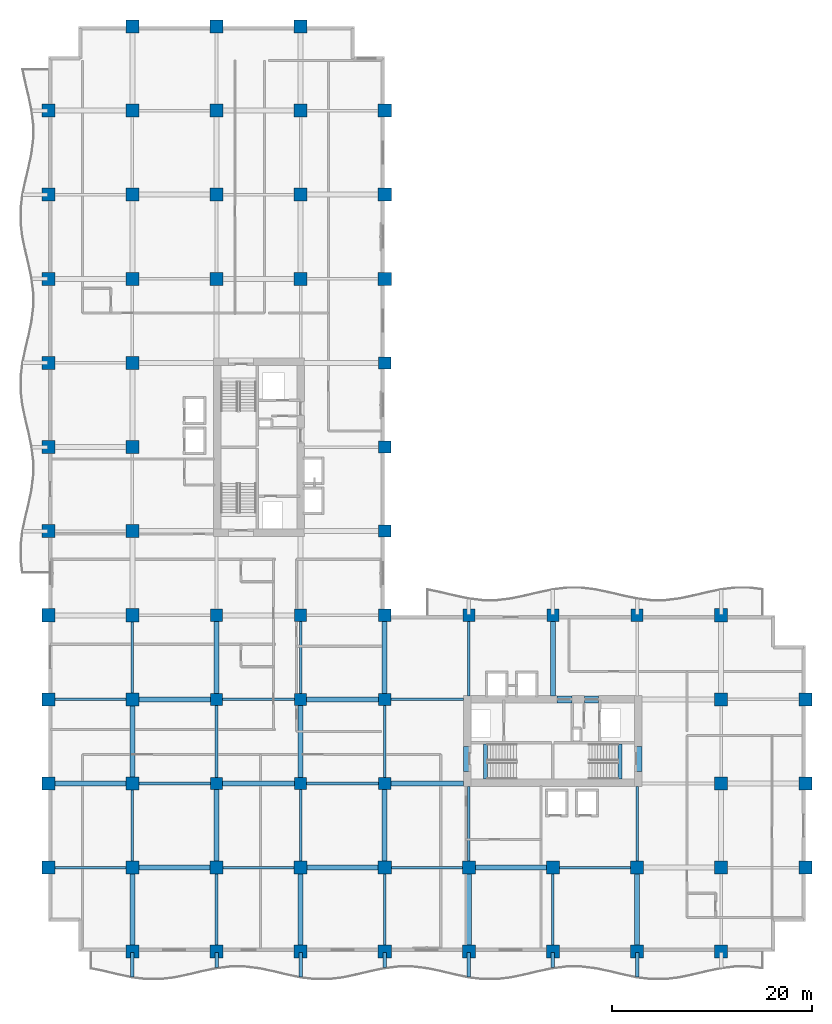
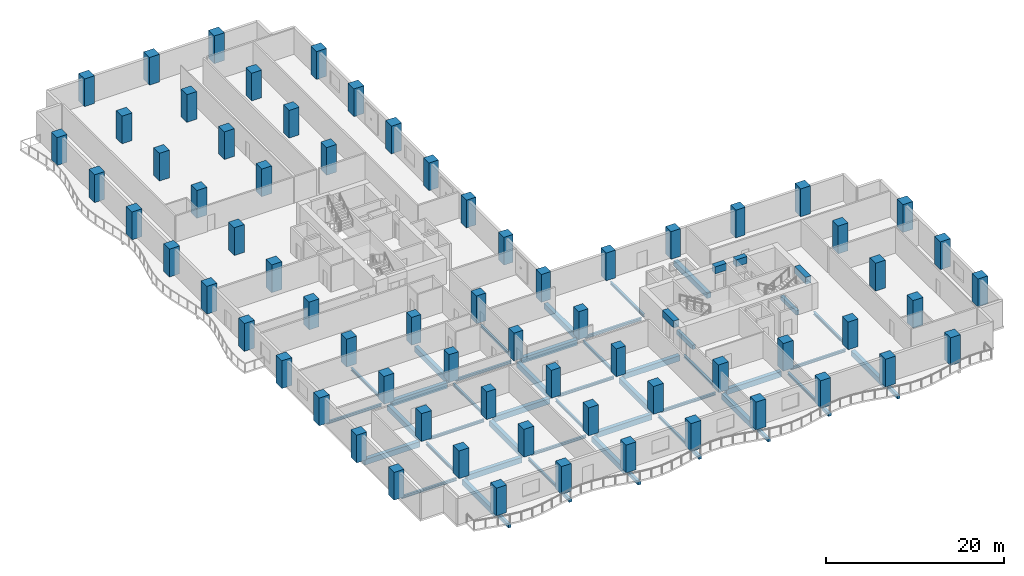
# One storey, part 1 of 15: 68 columns, 53 beams.
"""IFC4 building model written with IfcOpenShell, lengths in metres."""

from ifc_helpers import new_model, si_unit, direction, frame, origin, origin_2d, place, context, subcontext, project, spatial, rectangle, i_section, extrude, material, material_profile, profile_set, type_object, element, save


model = new_model("IFC4")

# Units and contexts
model_context = context("Model", 3, precision=1e-05, world=origin(), true_north=direction((0.0, 1.0)))
body_context = subcontext(model_context, "Body", "Model", "MODEL_VIEW")
ifc_project = project(units=[si_unit("LENGTHUNIT", "METRE"), si_unit("AREAUNIT", "SQUARE_METRE"), si_unit("VOLUMEUNIT", "CUBIC_METRE"), si_unit("PLANEANGLEUNIT", "RADIAN"), si_unit("MASSUNIT", "GRAM", prefix="KILO")], contexts=[model_context])

# Site, building, storey
site_placement = place(None, origin())
site = spatial("IfcSite", under=ifc_project, at=site_placement, CompositionType="ELEMENT")
building_placement = place(site_placement, origin())
building = spatial("IfcBuilding", under=site, at=building_placement, Name="Koriwani Terraces Tower", CompositionType="ELEMENT")
storey_placement = place(building_placement, frame((0.0, 0.0, 138.0)))
storey = spatial("IfcBuildingStorey", under=building, at=storey_placement, Name="L33", CompositionType="ELEMENT", Elevation=138.0)

# Columns
ifc_material_1 = material(Name="Concrete C60/75", Category="concrete")
ifc_material_profile_1 = material_profile(ifc_material_1, rectangle(XDim=1.199951171875, YDim=1.199951171875, at=origin_2d()), Name="Concrete C60/75", Category="LoadBearing")
ifc_profile_set_1 = profile_set([ifc_material_profile_1], Name="Concrete C60/75")
column_type_1 = type_object("IfcColumnType", Name="COL_RC_1200X1200", PredefinedType="COLUMN", material=ifc_profile_set_1)
for number, where, z_axis, x_axis, name in (
    (1, (16.800048828125, 16.800048828125, 0.0), (0.0, 0.0, 1.0), (1.0, 0.0, 0.0), "L33 Column 3/C"),
    (2, (16.800048828125, 25.199951171875, 0.0), (0.0, 0.0, 1.0), (1.0, 0.0, 0.0), "L33 Column 3/D"),
    (3, (16.800048828125, 33.60009765625, 0.0), (0.0, 0.0, 1.0), (1.0, 0.0, 0.0), "L33 Column 3/E"),
    (4, (25.199951171875, 16.800048828125, 0.0), (0.0, 0.0, 1.0), (1.0, 0.0, 0.0), "L33 Column 4/C"),
    (5, (25.199951171875, 25.199951171875, 0.0), (0.0, 0.0, 1.0), (1.0, 0.0, 0.0), "L33 Column 4/D"),
    (6, (25.199951171875, 33.60009765625, 0.0), (0.0, 0.0, 1.0), (1.0, 0.0, 0.0), "L33 Column 4/E"),
    (7, (33.60009765625, 16.800048828125, 0.0), (0.0, 0.0, 1.0), (1.0, 0.0, 0.0), "L33 Column 5/C"),
    (8, (33.60009765625, 25.199951171875, 0.0), (0.0, 0.0, 1.0), (1.0, 0.0, 0.0), "L33 Column 5/D"),
    (9, (33.60009765625, 33.60009765625, 0.0), (0.0, 0.0, 1.0), (1.0, 0.0, 0.0), "L33 Column 5/E"),
    (10, (33.60009765625, 42.0, 0.0), (0.0, 0.0, 1.0), (1.0, 0.0, 0.0), "L33 Column 5/F"),
    (11, (33.60009765625, 50.39990234375, 0.0), (0.0, 0.0, 1.0), (1.0, 0.0, 0.0), "L33 Column 5/G"),
    (12, (33.60009765625, 58.800048828125, 0.0), (0.0, 0.0, 1.0), (1.0, 0.0, 0.0), "L33 Column 5/H"),
    (13, (42.0, 33.60009765625, 0.0), (0.0, 0.0, 1.0), (1.0, 0.0, 0.0), "L33 Column 6/E"),
    (14, (50.39990234375, 33.60009765625, 0.0), (0.0, 0.0, 1.0), (1.0, 0.0, 0.0), "L33 Column 7/E"),
    (15, (58.800048828125, 33.60009765625, 0.0), (0.0, 0.0, 1.0), (1.0, 0.0, 0.0), "L33 Column 8/E"),
):
    element("IfcColumn", number, at=place(storey_placement, frame(where, z_axis=z_axis, x_axis=x_axis)), inside=storey, type_object=column_type_1, Name=name, PredefinedType="COLUMN", context=body_context, shape_type="SweptSolid", body=[
        extrude(rectangle(XDim=1.199951171875, YDim=1.199951171875, at=origin_2d()), origin(), (0.0, 0.0, 1.0), 3.800048828125),
    ])
ifc_material_profile_2 = material_profile(ifc_material_1, rectangle(XDim=1.300048828125, YDim=1.300048828125, at=origin_2d()), Name="Concrete C60/75", Category="LoadBearing")
ifc_profile_set_2 = profile_set([ifc_material_profile_2], Name="Concrete C60/75")
column_type_2 = type_object("IfcColumnType", Name="COL_RC_1300X1300", PredefinedType="COLUMN", material=ifc_profile_set_2)
for number, where, z_axis, x_axis, name in (
    (16, (0.0, 8.39990234375, 0.0), (0.0, 0.0, 1.0), (1.0, 0.0, 0.0), "L33 Column 1/B"),
    (17, (0.0, 16.800048828125, 0.0), (0.0, 0.0, 1.0), (1.0, 0.0, 0.0), "L33 Column 1/C"),
    (18, (0.0, 25.199951171875, 0.0), (0.0, 0.0, 1.0), (1.0, 0.0, 0.0), "L33 Column 1/D"),
    (19, (0.0, 33.60009765625, 0.0), (0.0, 0.0, 1.0), (1.0, 0.0, 0.0), "L33 Column 1/E"),
    (20, (0.0, 42.0, 0.0), (0.0, 0.0, 1.0), (1.0, 0.0, 0.0), "L33 Column 1/F"),
    (21, (0.0, 50.39990234375, 0.0), (0.0, 0.0, 1.0), (1.0, 0.0, 0.0), "L33 Column 1/G"),
    (22, (0.0, 58.800048828125, 0.0), (0.0, 0.0, 1.0), (1.0, 0.0, 0.0), "L33 Column 1/H"),
    (23, (0.0, 67.199951171875, 0.0), (0.0, 0.0, 1.0), (1.0, 0.0, 0.0), "L33 Column 1/I"),
    (24, (0.0, 75.60009765625, 0.0), (0.0, 0.0, 1.0), (1.0, 0.0, 0.0), "L33 Column 1/J"),
    (25, (0.0, 84.0, 0.0), (0.0, 0.0, 1.0), (1.0, 0.0, 0.0), "L33 Column 1/K"),
    (26, (8.39990234375, 0.0, 0.0), (0.0, 0.0, 1.0), (1.0, 0.0, 0.0), "L33 Column 2/A"),
    (27, (8.39990234375, 8.39990234375, 0.0), (0.0, 0.0, 1.0), (1.0, 0.0, 0.0), "L33 Column 2/B"),
    (28, (8.39990234375, 16.800048828125, 0.0), (0.0, 0.0, 1.0), (1.0, 0.0, 0.0), "L33 Column 2/C"),
    (29, (8.39990234375, 25.199951171875, 0.0), (0.0, 0.0, 1.0), (1.0, 0.0, 0.0), "L33 Column 2/D"),
    (30, (8.39990234375, 33.60009765625, 0.0), (0.0, 0.0, 1.0), (1.0, 0.0, 0.0), "L33 Column 2/E"),
    (31, (8.39990234375, 42.0, 0.0), (0.0, 0.0, 1.0), (1.0, 0.0, 0.0), "L33 Column 2/F"),
    (32, (8.39990234375, 50.39990234375, 0.0), (0.0, 0.0, 1.0), (1.0, 0.0, 0.0), "L33 Column 2/G"),
    (33, (8.39990234375, 58.800048828125, 0.0), (0.0, 0.0, 1.0), (1.0, 0.0, 0.0), "L33 Column 2/H"),
    (34, (8.39990234375, 67.199951171875, 0.0), (0.0, 0.0, 1.0), (1.0, 0.0, 0.0), "L33 Column 2/I"),
    (35, (8.39990234375, 75.60009765625, 0.0), (0.0, 0.0, 1.0), (1.0, 0.0, 0.0), "L33 Column 2/J"),
    (36, (8.39990234375, 84.0, 0.0), (0.0, 0.0, 1.0), (1.0, 0.0, 0.0), "L33 Column 2/K"),
    (37, (8.39990234375, 92.39990234375, 0.0), (0.0, 0.0, 1.0), (1.0, 0.0, 0.0), "L33 Column 2/L"),
    (38, (16.800048828125, 0.0, 0.0), (0.0, 0.0, 1.0), (1.0, 0.0, 0.0), "L33 Column 3/A"),
    (39, (16.800048828125, 8.39990234375, 0.0), (0.0, 0.0, 1.0), (1.0, 0.0, 0.0), "L33 Column 3/B"),
    (40, (16.800048828125, 67.199951171875, 0.0), (0.0, 0.0, 1.0), (1.0, 0.0, 0.0), "L33 Column 3/I"),
    (41, (16.800048828125, 75.60009765625, 0.0), (0.0, 0.0, 1.0), (1.0, 0.0, 0.0), "L33 Column 3/J"),
    (42, (16.800048828125, 84.0, 0.0), (0.0, 0.0, 1.0), (1.0, 0.0, 0.0), "L33 Column 3/K"),
    (43, (16.800048828125, 92.39990234375, 0.0), (0.0, 0.0, 1.0), (1.0, 0.0, 0.0), "L33 Column 3/L"),
    (44, (25.199951171875, 0.0, 0.0), (0.0, 0.0, 1.0), (1.0, 0.0, 0.0), "L33 Column 4/A"),
    (45, (25.199951171875, 8.39990234375, 0.0), (0.0, 0.0, 1.0), (1.0, 0.0, 0.0), "L33 Column 4/B"),
    (46, (25.199951171875, 67.199951171875, 0.0), (0.0, 0.0, 1.0), (1.0, 0.0, 0.0), "L33 Column 4/I"),
    (47, (25.199951171875, 75.60009765625, 0.0), (0.0, 0.0, 1.0), (1.0, 0.0, 0.0), "L33 Column 4/J"),
    (48, (25.199951171875, 84.0, 0.0), (0.0, 0.0, 1.0), (1.0, 0.0, 0.0), "L33 Column 4/K"),
    (49, (25.199951171875, 92.39990234375, 0.0), (0.0, 0.0, 1.0), (1.0, 0.0, 0.0), "L33 Column 4/L"),
    (50, (33.60009765625, 0.0, 0.0), (0.0, 0.0, 1.0), (1.0, 0.0, 0.0), "L33 Column 5/A"),
    (51, (33.60009765625, 8.39990234375, 0.0), (0.0, 0.0, 1.0), (1.0, 0.0, 0.0), "L33 Column 5/B"),
    (52, (33.60009765625, 67.199951171875, 0.0), (0.0, 0.0, 1.0), (1.0, 0.0, 0.0), "L33 Column 5/I"),
    (53, (33.60009765625, 75.60009765625, 0.0), (0.0, 0.0, 1.0), (1.0, 0.0, 0.0), "L33 Column 5/J"),
    (54, (33.60009765625, 84.0, 0.0), (0.0, 0.0, 1.0), (1.0, 0.0, 0.0), "L33 Column 5/K"),
    (55, (42.0, 0.0, 0.0), (0.0, 0.0, 1.0), (1.0, 0.0, 0.0), "L33 Column 6/A"),
    (56, (42.0, 8.39990234375, 0.0), (0.0, 0.0, 1.0), (1.0, 0.0, 0.0), "L33 Column 6/B"),
    (57, (50.39990234375, 0.0, 0.0), (0.0, 0.0, 1.0), (1.0, 0.0, 0.0), "L33 Column 7/A"),
    (58, (50.39990234375, 8.39990234375, 0.0), (0.0, 0.0, 1.0), (1.0, 0.0, 0.0), "L33 Column 7/B"),
    (59, (58.800048828125, 0.0, 0.0), (0.0, 0.0, 1.0), (1.0, 0.0, 0.0), "L33 Column 8/A"),
    (60, (58.800048828125, 8.39990234375, 0.0), (0.0, 0.0, 1.0), (1.0, 0.0, 0.0), "L33 Column 8/B"),
    (61, (67.199951171875, 0.0, 0.0), (0.0, 0.0, 1.0), (1.0, 0.0, 0.0), "L33 Column 9/A"),
    (62, (67.199951171875, 8.39990234375, 0.0), (0.0, 0.0, 1.0), (1.0, 0.0, 0.0), "L33 Column 9/B"),
    (63, (67.199951171875, 16.800048828125, 0.0), (0.0, 0.0, 1.0), (1.0, 0.0, 0.0), "L33 Column 9/C"),
    (64, (67.199951171875, 25.199951171875, 0.0), (0.0, 0.0, 1.0), (1.0, 0.0, 0.0), "L33 Column 9/D"),
    (65, (67.199951171875, 33.60009765625, 0.0), (0.0, 0.0, 1.0), (1.0, 0.0, 0.0), "L33 Column 9/E"),
    (66, (75.60009765625, 8.39990234375, 0.0), (0.0, 0.0, 1.0), (1.0, 0.0, 0.0), "L33 Column 10/B"),
    (67, (75.60009765625, 16.800048828125, 0.0), (0.0, 0.0, 1.0), (1.0, 0.0, 0.0), "L33 Column 10/C"),
    (68, (75.60009765625, 25.199951171875, 0.0), (0.0, 0.0, 1.0), (1.0, 0.0, 0.0), "L33 Column 10/D"),
):
    element("IfcColumn", number, at=place(storey_placement, frame(where, z_axis=z_axis, x_axis=x_axis)), inside=storey, type_object=column_type_2, Name=name, PredefinedType="COLUMN", context=body_context, shape_type="SweptSolid", body=[
        extrude(rectangle(XDim=1.300048828125, YDim=1.300048828125, at=origin_2d()), origin(), (0.0, 0.0, 1.0), 3.800048828125),
    ])

# Beams
ifc_material_2 = material(Name="Concrete C40/50", Category="concrete")
ifc_material_profile_3 = material_profile(ifc_material_2, rectangle(XDim=0.35009765625, YDim=0.449951171875, at=origin_2d()), Name="Concrete C40/50", Category="LoadBearing")
ifc_profile_set_3 = profile_set([ifc_material_profile_3], Name="Concrete C40/50")
beam_type_1 = type_object("IfcBeamType", Name="BEAM_RC_BALCONY_RIB_350X450", PredefinedType="JOIST", material=ifc_profile_set_3)
beam_1_placement = place(storey_placement, frame((8.39990234375, -2.509521484375, -0.47509765625), z_axis=(0.0, 1.0, 0.0), x_axis=(-1.0, 0.0, 0.0)))
element("IfcBeam", 69, at=beam_1_placement, inside=storey, type_object=beam_type_1, Name="L33 Balcony Bracket Rib S-1", PredefinedType="JOIST", context=body_context, shape_type="SweptSolid", body=[
    extrude(rectangle(XDim=0.35009765625, YDim=0.449951171875, at=origin_2d()), origin(), (0.0, 0.0, 1.0), 2.409423828125),
])
beam_2_placement = place(storey_placement, frame((16.800048828125, -1.59033203125, -0.47509765625), z_axis=(0.0, 1.0, 0.0), x_axis=(-1.0, 0.0, 0.0)))
element("IfcBeam", 70, at=beam_2_placement, inside=storey, type_object=beam_type_1, Name="L33 Balcony Bracket Rib S-2", PredefinedType="JOIST", context=body_context, shape_type="SweptSolid", body=[
    extrude(rectangle(XDim=0.35009765625, YDim=0.449951171875, at=origin_2d()), origin(), (0.0, 0.0, 1.0), 1.490234375),
])
beam_3_placement = place(storey_placement, frame((25.199951171875, -2.509521484375, -0.47509765625), z_axis=(0.0, 1.0, 0.0), x_axis=(-1.0, 0.0, 0.0)))
element("IfcBeam", 71, at=beam_3_placement, inside=storey, type_object=beam_type_1, Name="L33 Balcony Bracket Rib S-3", PredefinedType="JOIST", context=body_context, shape_type="SweptSolid", body=[
    extrude(rectangle(XDim=0.35009765625, YDim=0.449951171875, at=origin_2d()), origin(), (0.0, 0.0, 1.0), 2.409423828125),
])
beam_4_placement = place(storey_placement, frame((33.60009765625, -1.59033203125, -0.47509765625), z_axis=(0.0, 1.0, 0.0), x_axis=(-1.0, 0.0, 0.0)))
element("IfcBeam", 72, at=beam_4_placement, inside=storey, type_object=beam_type_1, Name="L33 Balcony Bracket Rib S-4", PredefinedType="JOIST", context=body_context, shape_type="SweptSolid", body=[
    extrude(rectangle(XDim=0.35009765625, YDim=0.449951171875, at=origin_2d()), origin(), (0.0, 0.0, 1.0), 1.490234375),
])
beam_5_placement = place(storey_placement, frame((42.0, -2.509521484375, -0.47509765625), z_axis=(0.0, 1.0, 0.0), x_axis=(-1.0, 0.0, 0.0)))
element("IfcBeam", 73, at=beam_5_placement, inside=storey, type_object=beam_type_1, Name="L33 Balcony Bracket Rib S-5", PredefinedType="JOIST", context=body_context, shape_type="SweptSolid", body=[
    extrude(rectangle(XDim=0.35009765625, YDim=0.449951171875, at=origin_2d()), origin(), (0.0, 0.0, 1.0), 2.409423828125),
])
beam_6_placement = place(storey_placement, frame((50.39990234375, -1.59033203125, -0.47509765625), z_axis=(0.0, 1.0, 0.0), x_axis=(-1.0, 0.0, 0.0)))
element("IfcBeam", 74, at=beam_6_placement, inside=storey, type_object=beam_type_1, Name="L33 Balcony Bracket Rib S-6", PredefinedType="JOIST", context=body_context, shape_type="SweptSolid", body=[
    extrude(rectangle(XDim=0.35009765625, YDim=0.449951171875, at=origin_2d()), origin(), (0.0, 0.0, 1.0), 1.490234375),
])
beam_7_placement = place(storey_placement, frame((58.800048828125, -2.509521484375, -0.47509765625), z_axis=(0.0, 1.0, 0.0), x_axis=(-1.0, 0.0, 0.0)))
element("IfcBeam", 75, at=beam_7_placement, inside=storey, type_object=beam_type_1, Name="L33 Balcony Bracket Rib S-7", PredefinedType="JOIST", context=body_context, shape_type="SweptSolid", body=[
    extrude(rectangle(XDim=0.35009765625, YDim=0.449951171875, at=origin_2d()), origin(), (0.0, 0.0, 1.0), 2.409423828125),
])
ifc_material_profile_4 = material_profile(ifc_material_1, rectangle(XDim=0.699951171875, YDim=0.949951171875, at=origin_2d()), Name="Concrete C60/75", Category="LoadBearing")
ifc_profile_set_4 = profile_set([ifc_material_profile_4], Name="Concrete C60/75")
beam_type_2 = type_object("IfcBeamType", Name="BEAM_RC_COUPLING_700X950", PredefinedType="LINTEL", material=ifc_profile_set_4)
beam_8_placement = place(storey_placement, frame((50.800048828125, 25.199951171875, 3.074951171875), z_axis=(1.0, 0.0, 0.0), x_axis=(0.0, 1.0, 0.0)))
element("IfcBeam", 76, at=beam_8_placement, inside=storey, type_object=beam_type_2, Name="L33 Core Coupling Lintel Beam EN1", PredefinedType="LINTEL", context=body_context, shape_type="SweptSolid", body=[
    extrude(rectangle(XDim=0.699951171875, YDim=0.949951171875, at=origin_2d()), origin(), (0.0, 0.0, 1.0), 1.47998046875),
])
beam_9_placement = place(storey_placement, frame((53.550048828125, 25.199951171875, 3.074951171875), z_axis=(1.0, 0.0, 0.0), x_axis=(0.0, 1.0, 0.0)))
element("IfcBeam", 77, at=beam_9_placement, inside=storey, type_object=beam_type_2, Name="L33 Core Coupling Lintel Beam EN2", PredefinedType="LINTEL", context=body_context, shape_type="SweptSolid", body=[
    extrude(rectangle(XDim=0.699951171875, YDim=0.949951171875, at=origin_2d()), origin(), (0.0, 0.0, 1.0), 1.39990234375),
])
for number, where, z_axis, x_axis, name in (
    (78, (41.824951171875, 18.0, 3.074951171875), (0.0, 1.0, 0.0), (-1.0, 0.0, 0.0), "L33 Core Coupling Lintel Beam EW"),
    (79, (58.925048828125, 18.0, 3.074951171875), (0.0, 1.0, 0.0), (-1.0, 0.0, 0.0), "L33 Core Coupling Lintel Beam EE"),
):
    element("IfcBeam", number, at=place(storey_placement, frame(where, z_axis=z_axis, x_axis=x_axis)), inside=storey, type_object=beam_type_2, Name=name, PredefinedType="LINTEL", context=body_context, shape_type="SweptSolid", body=[
        extrude(rectangle(XDim=0.699951171875, YDim=0.949951171875, at=origin_2d()), origin(), (0.0, 0.0, 1.0), 2.5),
    ])
ifc_material_profile_5 = material_profile(ifc_material_2, rectangle(XDim=0.39990234375, YDim=0.60009765625, at=origin_2d()), Name="Concrete C40/50", Category="LoadBearing")
ifc_profile_set_5 = profile_set([ifc_material_profile_5], Name="Concrete C40/50")
beam_type_3 = type_object("IfcBeamType", Name="BEAM_RC_GRID_400X600", PredefinedType="BEAM", material=ifc_profile_set_5)
for number, where, z_axis, x_axis, name in (
    (80, (43.655029296875, 17.25, -0.300048828125), (0.0, 1.0, 0.0), (-1.0, 0.0, 0.0), "L33 Stairwell Header Trimmer Beam ST-E1"),
    (81, (57.094970703125, 17.25, -0.300048828125), (0.0, 1.0, 0.0), (-1.0, 0.0, 0.0), "L33 Stairwell Header Trimmer Beam ST-E2"),
):
    element("IfcBeam", number, at=place(storey_placement, frame(where, z_axis=z_axis, x_axis=x_axis)), inside=storey, type_object=beam_type_3, Name=name, PredefinedType="BEAM", context=body_context, shape_type="SweptSolid", body=[
        extrude(rectangle(XDim=0.39990234375, YDim=0.60009765625, at=origin_2d()), origin(), (0.0, 0.0, 1.0), 3.5),
    ])
ifc_material_3 = material(Name="Concrete C50/60", Category="concrete")
ifc_material_profile_6 = material_profile(ifc_material_3, rectangle(XDim=0.5, YDim=0.75, at=origin_2d()), Name="Concrete C50/60", Category="LoadBearing")
ifc_profile_set_6 = profile_set([ifc_material_profile_6], Name="Concrete C50/60")
beam_type_4 = type_object("IfcBeamType", Name="BEAM_RC_GRID_500X750", PredefinedType="BEAM", material=ifc_profile_set_6)
for number, where, z_axis, x_axis, name in (
    (82, (9.030029296875, 8.39990234375, -0.625), (1.0, 0.0, 0.0), (0.0, 1.0, 0.0), "L33 Grid Beam B (8.4-16.8m)"),
    (83, (25.830078125, 8.39990234375, -0.625), (1.0, 0.0, 0.0), (0.0, 1.0, 0.0), "L33 Grid Beam B (25.2-33.6m)"),
):
    element("IfcBeam", number, at=place(storey_placement, frame(where, z_axis=z_axis, x_axis=x_axis)), inside=storey, type_object=beam_type_4, Name=name, PredefinedType="BEAM", context=body_context, shape_type="SweptSolid", body=[
        extrude(rectangle(XDim=0.5, YDim=0.75, at=origin_2d()), origin(), (0.0, 0.0, 1.0), 7.139892578125),
    ])
for number, where, z_axis, x_axis, name in (
    (84, (42.6298828125, 8.39990234375, -0.625), (1.0, 0.0, 0.0), (0.0, 1.0, 0.0), "L33 Grid Beam B (42.0-50.4m)"),
    (85, (0.6298828125, 16.800048828125, -0.625), (1.0, 0.0, 0.0), (0.0, 1.0, 0.0), "L33 Grid Beam C (0.0-8.4m)"),
):
    element("IfcBeam", number, at=place(storey_placement, frame(where, z_axis=z_axis, x_axis=x_axis)), inside=storey, type_object=beam_type_4, Name=name, PredefinedType="BEAM", context=body_context, shape_type="SweptSolid", body=[
        extrude(rectangle(XDim=0.5, YDim=0.75, at=origin_2d()), origin(), (0.0, 0.0, 1.0), 7.14013671875),
    ])
beam_10_placement = place(storey_placement, frame((17.3798828125, 16.800048828125, -0.625), z_axis=(1.0, 0.0, 0.0), x_axis=(0.0, 1.0, 0.0)))
element("IfcBeam", 86, at=beam_10_placement, inside=storey, type_object=beam_type_4, Name="L33 Grid Beam C (16.8-25.2m)", PredefinedType="BEAM", context=body_context, shape_type="SweptSolid", body=[
    extrude(rectangle(XDim=0.5, YDim=0.75, at=origin_2d()), origin(), (0.0, 0.0, 1.0), 7.240234375),
])
beam_11_placement = place(storey_placement, frame((34.179931640625, 16.800048828125, -0.625), z_axis=(1.0, 0.0, 0.0), x_axis=(0.0, 1.0, 0.0)))
element("IfcBeam", 87, at=beam_11_placement, inside=storey, type_object=beam_type_4, Name="L33 Grid Beam C (33.6-42.0m)", PredefinedType="BEAM", context=body_context, shape_type="SweptSolid", body=[
    extrude(rectangle(XDim=0.5, YDim=0.75, at=origin_2d()), origin(), (0.0, 0.0, 1.0), 7.2900390625),
])
beam_12_placement = place(storey_placement, frame((9.030029296875, 25.199951171875, -0.625), z_axis=(1.0, 0.0, 0.0), x_axis=(0.0, 1.0, 0.0)))
element("IfcBeam", 88, at=beam_12_placement, inside=storey, type_object=beam_type_4, Name="L33 Grid Beam D (8.4-16.8m)", PredefinedType="BEAM", context=body_context, shape_type="SweptSolid", body=[
    extrude(rectangle(XDim=0.5, YDim=0.75, at=origin_2d()), origin(), (0.0, 0.0, 1.0), 7.18994140625),
])
beam_13_placement = place(storey_placement, frame((25.780029296875, 25.199951171875, -0.625), z_axis=(1.0, 0.0, 0.0), x_axis=(0.0, 1.0, 0.0)))
element("IfcBeam", 89, at=beam_13_placement, inside=storey, type_object=beam_type_4, Name="L33 Grid Beam D (25.2-33.6m)", PredefinedType="BEAM", context=body_context, shape_type="SweptSolid", body=[
    extrude(rectangle(XDim=0.5, YDim=0.75, at=origin_2d()), origin(), (0.0, 0.0, 1.0), 7.239990234375),
])
for number, where, z_axis, x_axis, name in (
    (90, (8.39990234375, 0.6298828125, -0.625), (0.0, 1.0, 0.0), (-1.0, 0.0, 0.0), "L33 Grid Beam 2 (0.0-8.4m)"),
    (91, (8.39990234375, 17.429931640625, -0.625), (0.0, 1.0, 0.0), (-1.0, 0.0, 0.0), "L33 Grid Beam 2 (16.8-25.2m)"),
):
    element("IfcBeam", number, at=place(storey_placement, frame(where, z_axis=z_axis, x_axis=x_axis)), inside=storey, type_object=beam_type_4, Name=name, PredefinedType="BEAM", context=body_context, shape_type="SweptSolid", body=[
        extrude(rectangle(XDim=0.5, YDim=0.75, at=origin_2d()), origin(), (0.0, 0.0, 1.0), 7.14013671875),
    ])
beam_14_placement = place(storey_placement, frame((16.800048828125, 9.030029296875, -0.625), z_axis=(0.0, 1.0, 0.0), x_axis=(-1.0, 0.0, 0.0)))
element("IfcBeam", 92, at=beam_14_placement, inside=storey, type_object=beam_type_4, Name="L33 Grid Beam 3 (8.4-16.8m)", PredefinedType="BEAM", context=body_context, shape_type="SweptSolid", body=[
    extrude(rectangle(XDim=0.5, YDim=0.75, at=origin_2d()), origin(), (0.0, 0.0, 1.0), 7.18994140625),
])
beam_15_placement = place(storey_placement, frame((16.800048828125, 25.780029296875, -0.625), z_axis=(0.0, 1.0, 0.0), x_axis=(-1.0, 0.0, 0.0)))
element("IfcBeam", 93, at=beam_15_placement, inside=storey, type_object=beam_type_4, Name="L33 Grid Beam 3 (25.2-33.6m)", PredefinedType="BEAM", context=body_context, shape_type="SweptSolid", body=[
    extrude(rectangle(XDim=0.5, YDim=0.75, at=origin_2d()), origin(), (0.0, 0.0, 1.0), 7.239990234375),
])
beam_16_placement = place(storey_placement, frame((25.199951171875, 0.6298828125, -0.625), z_axis=(0.0, 1.0, 0.0), x_axis=(-1.0, 0.0, 0.0)))
element("IfcBeam", 94, at=beam_16_placement, inside=storey, type_object=beam_type_4, Name="L33 Grid Beam 4 (0.0-8.4m)", PredefinedType="BEAM", context=body_context, shape_type="SweptSolid", body=[
    extrude(rectangle(XDim=0.5, YDim=0.75, at=origin_2d()), origin(), (0.0, 0.0, 1.0), 7.14013671875),
])
beam_17_placement = place(storey_placement, frame((25.199951171875, 17.3798828125, -0.625), z_axis=(0.0, 1.0, 0.0), x_axis=(-1.0, 0.0, 0.0)))
element("IfcBeam", 95, at=beam_17_placement, inside=storey, type_object=beam_type_4, Name="L33 Grid Beam 4 (16.8-25.2m)", PredefinedType="BEAM", context=body_context, shape_type="SweptSolid", body=[
    extrude(rectangle(XDim=0.5, YDim=0.75, at=origin_2d()), origin(), (0.0, 0.0, 1.0), 7.240234375),
])
beam_18_placement = place(storey_placement, frame((33.60009765625, 9.030029296875, -0.625), z_axis=(0.0, 1.0, 0.0), x_axis=(-1.0, 0.0, 0.0)))
element("IfcBeam", 96, at=beam_18_placement, inside=storey, type_object=beam_type_4, Name="L33 Grid Beam 5 (8.4-16.8m)", PredefinedType="BEAM", context=body_context, shape_type="SweptSolid", body=[
    extrude(rectangle(XDim=0.5, YDim=0.75, at=origin_2d()), origin(), (0.0, 0.0, 1.0), 7.18994140625),
])
beam_19_placement = place(storey_placement, frame((33.60009765625, 25.780029296875, -0.625), z_axis=(0.0, 1.0, 0.0), x_axis=(-1.0, 0.0, 0.0)))
element("IfcBeam", 97, at=beam_19_placement, inside=storey, type_object=beam_type_4, Name="L33 Grid Beam 5 (25.2-33.6m)", PredefinedType="BEAM", context=body_context, shape_type="SweptSolid", body=[
    extrude(rectangle(XDim=0.5, YDim=0.75, at=origin_2d()), origin(), (0.0, 0.0, 1.0), 7.239990234375),
])
beam_20_placement = place(storey_placement, frame((42.0, 0.6298828125, -0.625), z_axis=(0.0, 1.0, 0.0), x_axis=(-1.0, 0.0, 0.0)))
element("IfcBeam", 98, at=beam_20_placement, inside=storey, type_object=beam_type_4, Name="L33 Grid Beam 6 (0.0-8.4m)", PredefinedType="BEAM", context=body_context, shape_type="SweptSolid", body=[
    extrude(rectangle(XDim=0.5, YDim=0.75, at=origin_2d()), origin(), (0.0, 0.0, 1.0), 7.14013671875),
])
beam_21_placement = place(storey_placement, frame((50.39990234375, 25.554931640625, -0.625), z_axis=(0.0, 1.0, 0.0), x_axis=(-1.0, 0.0, 0.0)))
element("IfcBeam", 99, at=beam_21_placement, inside=storey, type_object=beam_type_4, Name="L33 Grid Beam 7 (25.2-33.6m)", PredefinedType="BEAM", context=body_context, shape_type="SweptSolid", body=[
    extrude(rectangle(XDim=0.5, YDim=0.75, at=origin_2d()), origin(), (0.0, 0.0, 1.0), 7.465087890625),
])
beam_22_placement = place(storey_placement, frame((58.800048828125, 0.6298828125, -0.625), z_axis=(0.0, 1.0, 0.0), x_axis=(-1.0, 0.0, 0.0)))
element("IfcBeam", 100, at=beam_22_placement, inside=storey, type_object=beam_type_4, Name="L33 Grid Beam 8 (0.0-8.4m)", PredefinedType="BEAM", context=body_context, shape_type="SweptSolid", body=[
    extrude(rectangle(XDim=0.5, YDim=0.75, at=origin_2d()), origin(), (0.0, 0.0, 1.0), 7.14013671875),
])
ifc_material_4 = material(Name="Steel ASTM A572 Grade 50", Category="steel")
ifc_material_profile_7 = material_profile(ifc_material_4, i_section(OverallWidth=0.257080078125, OverallDepth=0.363037109375, WebThickness=0.012939453125, FlangeThickness=0.021728515625, at=origin_2d()), Name="Steel ASTM A572 Grade 50", Category="LoadBearing")
ifc_profile_set_7 = profile_set([ifc_material_profile_7], Name="Steel ASTM A572 Grade 50")
beam_type_5 = type_object("IfcBeamType", Name="STEEL_BEAM_W360X122", PredefinedType="JOIST", material=ifc_profile_set_7)
for number, where, z_axis, x_axis, name in (
    (101, (0.6298828125, 8.39990234375, -0.431396484375), (1.0, 0.0, 0.0), (0.0, 1.0, 0.0), "L33 Grid Beam B (0.0-8.4m)"),
    (102, (17.429931640625, 8.39990234375, -0.431396484375), (1.0, 0.0, 0.0), (0.0, 1.0, 0.0), "L33 Grid Beam B (16.8-25.2m)"),
    (103, (34.22998046875, 8.39990234375, -0.431396484375), (1.0, 0.0, 0.0), (0.0, 1.0, 0.0), "L33 Grid Beam B (33.6-42.0m)"),
):
    element("IfcBeam", number, at=place(storey_placement, frame(where, z_axis=z_axis, x_axis=x_axis)), inside=storey, type_object=beam_type_5, Name=name, PredefinedType="JOIST", context=body_context, shape_type="SweptSolid", body=[
        extrude(i_section(OverallWidth=0.257080078125, OverallDepth=0.363037109375, WebThickness=0.012939453125, FlangeThickness=0.021728515625, at=origin_2d()), origin(), (0.0, 0.0, 1.0), 7.14013671875),
    ])
beam_23_placement = place(storey_placement, frame((51.030029296875, 8.39990234375, -0.431396484375), z_axis=(1.0, 0.0, 0.0), x_axis=(0.0, 1.0, 0.0)))
element("IfcBeam", 104, at=beam_23_placement, inside=storey, type_object=beam_type_5, Name="L33 Grid Beam B (50.4-58.8m)", PredefinedType="JOIST", context=body_context, shape_type="SweptSolid", body=[
    extrude(i_section(OverallWidth=0.257080078125, OverallDepth=0.363037109375, WebThickness=0.012939453125, FlangeThickness=0.021728515625, at=origin_2d()), origin(), (0.0, 0.0, 1.0), 7.139892578125),
])
beam_24_placement = place(storey_placement, frame((9.030029296875, 16.800048828125, -0.431396484375), z_axis=(1.0, 0.0, 0.0), x_axis=(0.0, 1.0, 0.0)))
element("IfcBeam", 105, at=beam_24_placement, inside=storey, type_object=beam_type_5, Name="L33 Grid Beam C (8.4-16.8m)", PredefinedType="JOIST", context=body_context, shape_type="SweptSolid", body=[
    extrude(i_section(OverallWidth=0.257080078125, OverallDepth=0.363037109375, WebThickness=0.012939453125, FlangeThickness=0.021728515625, at=origin_2d()), origin(), (0.0, 0.0, 1.0), 7.18994140625),
])
beam_25_placement = place(storey_placement, frame((25.780029296875, 16.800048828125, -0.431396484375), z_axis=(1.0, 0.0, 0.0), x_axis=(0.0, 1.0, 0.0)))
element("IfcBeam", 106, at=beam_25_placement, inside=storey, type_object=beam_type_5, Name="L33 Grid Beam C (25.2-33.6m)", PredefinedType="JOIST", context=body_context, shape_type="SweptSolid", body=[
    extrude(i_section(OverallWidth=0.257080078125, OverallDepth=0.363037109375, WebThickness=0.012939453125, FlangeThickness=0.021728515625, at=origin_2d()), origin(), (0.0, 0.0, 1.0), 7.239990234375),
])
beam_26_placement = place(storey_placement, frame((0.6298828125, 25.199951171875, -0.431396484375), z_axis=(1.0, 0.0, 0.0), x_axis=(0.0, 1.0, 0.0)))
element("IfcBeam", 107, at=beam_26_placement, inside=storey, type_object=beam_type_5, Name="L33 Grid Beam D (0.0-8.4m)", PredefinedType="JOIST", context=body_context, shape_type="SweptSolid", body=[
    extrude(i_section(OverallWidth=0.257080078125, OverallDepth=0.363037109375, WebThickness=0.012939453125, FlangeThickness=0.021728515625, at=origin_2d()), origin(), (0.0, 0.0, 1.0), 7.14013671875),
])
beam_27_placement = place(storey_placement, frame((17.3798828125, 25.199951171875, -0.431396484375), z_axis=(1.0, 0.0, 0.0), x_axis=(0.0, 1.0, 0.0)))
element("IfcBeam", 108, at=beam_27_placement, inside=storey, type_object=beam_type_5, Name="L33 Grid Beam D (16.8-25.2m)", PredefinedType="JOIST", context=body_context, shape_type="SweptSolid", body=[
    extrude(i_section(OverallWidth=0.257080078125, OverallDepth=0.363037109375, WebThickness=0.012939453125, FlangeThickness=0.021728515625, at=origin_2d()), origin(), (0.0, 0.0, 1.0), 7.240234375),
])
beam_28_placement = place(storey_placement, frame((34.179931640625, 25.199951171875, -0.431396484375), z_axis=(1.0, 0.0, 0.0), x_axis=(0.0, 1.0, 0.0)))
element("IfcBeam", 109, at=beam_28_placement, inside=storey, type_object=beam_type_5, Name="L33 Grid Beam D (33.6-42.0m)", PredefinedType="JOIST", context=body_context, shape_type="SweptSolid", body=[
    extrude(i_section(OverallWidth=0.257080078125, OverallDepth=0.363037109375, WebThickness=0.012939453125, FlangeThickness=0.021728515625, at=origin_2d()), origin(), (0.0, 0.0, 1.0), 7.2900390625),
])
for number, where, z_axis, x_axis, name in (
    (110, (8.39990234375, 9.030029296875, -0.431396484375), (0.0, 1.0, 0.0), (-1.0, 0.0, 0.0), "L33 Grid Beam 2 (8.4-16.8m)"),
    (111, (8.39990234375, 25.830078125, -0.431396484375), (0.0, 1.0, 0.0), (-1.0, 0.0, 0.0), "L33 Grid Beam 2 (25.2-33.6m)"),
):
    element("IfcBeam", number, at=place(storey_placement, frame(where, z_axis=z_axis, x_axis=x_axis)), inside=storey, type_object=beam_type_5, Name=name, PredefinedType="JOIST", context=body_context, shape_type="SweptSolid", body=[
        extrude(i_section(OverallWidth=0.257080078125, OverallDepth=0.363037109375, WebThickness=0.012939453125, FlangeThickness=0.021728515625, at=origin_2d()), origin(), (0.0, 0.0, 1.0), 7.139892578125),
    ])
beam_29_placement = place(storey_placement, frame((16.800048828125, 0.6298828125, -0.431396484375), z_axis=(0.0, 1.0, 0.0), x_axis=(-1.0, 0.0, 0.0)))
element("IfcBeam", 112, at=beam_29_placement, inside=storey, type_object=beam_type_5, Name="L33 Grid Beam 3 (0.0-8.4m)", PredefinedType="JOIST", context=body_context, shape_type="SweptSolid", body=[
    extrude(i_section(OverallWidth=0.257080078125, OverallDepth=0.363037109375, WebThickness=0.012939453125, FlangeThickness=0.021728515625, at=origin_2d()), origin(), (0.0, 0.0, 1.0), 7.14013671875),
])
beam_30_placement = place(storey_placement, frame((16.800048828125, 17.3798828125, -0.431396484375), z_axis=(0.0, 1.0, 0.0), x_axis=(-1.0, 0.0, 0.0)))
element("IfcBeam", 113, at=beam_30_placement, inside=storey, type_object=beam_type_5, Name="L33 Grid Beam 3 (16.8-25.2m)", PredefinedType="JOIST", context=body_context, shape_type="SweptSolid", body=[
    extrude(i_section(OverallWidth=0.257080078125, OverallDepth=0.363037109375, WebThickness=0.012939453125, FlangeThickness=0.021728515625, at=origin_2d()), origin(), (0.0, 0.0, 1.0), 7.240234375),
])
beam_31_placement = place(storey_placement, frame((25.199951171875, 9.030029296875, -0.431396484375), z_axis=(0.0, 1.0, 0.0), x_axis=(-1.0, 0.0, 0.0)))
element("IfcBeam", 114, at=beam_31_placement, inside=storey, type_object=beam_type_5, Name="L33 Grid Beam 4 (8.4-16.8m)", PredefinedType="JOIST", context=body_context, shape_type="SweptSolid", body=[
    extrude(i_section(OverallWidth=0.257080078125, OverallDepth=0.363037109375, WebThickness=0.012939453125, FlangeThickness=0.021728515625, at=origin_2d()), origin(), (0.0, 0.0, 1.0), 7.18994140625),
])
beam_32_placement = place(storey_placement, frame((25.199951171875, 25.780029296875, -0.431396484375), z_axis=(0.0, 1.0, 0.0), x_axis=(-1.0, 0.0, 0.0)))
element("IfcBeam", 115, at=beam_32_placement, inside=storey, type_object=beam_type_5, Name="L33 Grid Beam 4 (25.2-33.6m)", PredefinedType="JOIST", context=body_context, shape_type="SweptSolid", body=[
    extrude(i_section(OverallWidth=0.257080078125, OverallDepth=0.363037109375, WebThickness=0.012939453125, FlangeThickness=0.021728515625, at=origin_2d()), origin(), (0.0, 0.0, 1.0), 7.239990234375),
])
beam_33_placement = place(storey_placement, frame((33.60009765625, 0.6298828125, -0.431396484375), z_axis=(0.0, 1.0, 0.0), x_axis=(-1.0, 0.0, 0.0)))
element("IfcBeam", 116, at=beam_33_placement, inside=storey, type_object=beam_type_5, Name="L33 Grid Beam 5 (0.0-8.4m)", PredefinedType="JOIST", context=body_context, shape_type="SweptSolid", body=[
    extrude(i_section(OverallWidth=0.257080078125, OverallDepth=0.363037109375, WebThickness=0.012939453125, FlangeThickness=0.021728515625, at=origin_2d()), origin(), (0.0, 0.0, 1.0), 7.14013671875),
])
beam_34_placement = place(storey_placement, frame((33.60009765625, 17.3798828125, -0.431396484375), z_axis=(0.0, 1.0, 0.0), x_axis=(-1.0, 0.0, 0.0)))
element("IfcBeam", 117, at=beam_34_placement, inside=storey, type_object=beam_type_5, Name="L33 Grid Beam 5 (16.8-25.2m)", PredefinedType="JOIST", context=body_context, shape_type="SweptSolid", body=[
    extrude(i_section(OverallWidth=0.257080078125, OverallDepth=0.363037109375, WebThickness=0.012939453125, FlangeThickness=0.021728515625, at=origin_2d()), origin(), (0.0, 0.0, 1.0), 7.240234375),
])
beam_35_placement = place(storey_placement, frame((42.0, 9.030029296875, -0.431396484375), z_axis=(0.0, 1.0, 0.0), x_axis=(-1.0, 0.0, 0.0)))
element("IfcBeam", 118, at=beam_35_placement, inside=storey, type_object=beam_type_5, Name="L33 Grid Beam 6 (8.4-16.8m)", PredefinedType="JOIST", context=body_context, shape_type="SweptSolid", body=[
    extrude(i_section(OverallWidth=0.257080078125, OverallDepth=0.363037109375, WebThickness=0.012939453125, FlangeThickness=0.021728515625, at=origin_2d()), origin(), (0.0, 0.0, 1.0), 7.489990234375),
])
beam_36_placement = place(storey_placement, frame((42.0, 25.554931640625, -0.431396484375), z_axis=(0.0, 1.0, 0.0), x_axis=(-1.0, 0.0, 0.0)))
element("IfcBeam", 119, at=beam_36_placement, inside=storey, type_object=beam_type_5, Name="L33 Grid Beam 6 (25.2-33.6m)", PredefinedType="JOIST", context=body_context, shape_type="SweptSolid", body=[
    extrude(i_section(OverallWidth=0.257080078125, OverallDepth=0.363037109375, WebThickness=0.012939453125, FlangeThickness=0.021728515625, at=origin_2d()), origin(), (0.0, 0.0, 1.0), 7.465087890625),
])
beam_37_placement = place(storey_placement, frame((50.39990234375, 0.6298828125, -0.431396484375), z_axis=(0.0, 1.0, 0.0), x_axis=(-1.0, 0.0, 0.0)))
element("IfcBeam", 120, at=beam_37_placement, inside=storey, type_object=beam_type_5, Name="L33 Grid Beam 7 (0.0-8.4m)", PredefinedType="JOIST", context=body_context, shape_type="SweptSolid", body=[
    extrude(i_section(OverallWidth=0.257080078125, OverallDepth=0.363037109375, WebThickness=0.012939453125, FlangeThickness=0.021728515625, at=origin_2d()), origin(), (0.0, 0.0, 1.0), 7.14013671875),
])
beam_38_placement = place(storey_placement, frame((58.800048828125, 9.030029296875, -0.431396484375), z_axis=(0.0, 1.0, 0.0), x_axis=(-1.0, 0.0, 0.0)))
element("IfcBeam", 121, at=beam_38_placement, inside=storey, type_object=beam_type_5, Name="L33 Grid Beam 8 (8.4-16.8m)", PredefinedType="JOIST", context=body_context, shape_type="SweptSolid", body=[
    extrude(i_section(OverallWidth=0.257080078125, OverallDepth=0.363037109375, WebThickness=0.012939453125, FlangeThickness=0.021728515625, at=origin_2d()), origin(), (0.0, 0.0, 1.0), 7.489990234375),
])

save(model, "model.ifc")
